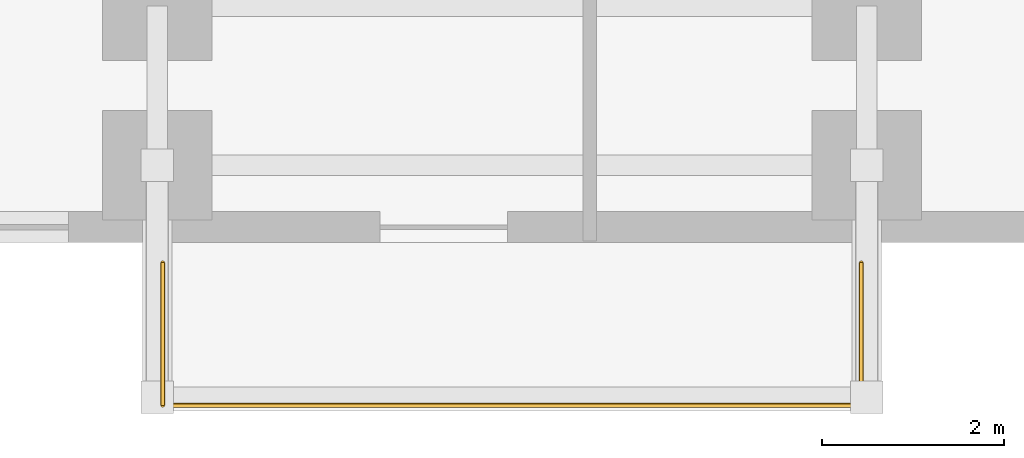
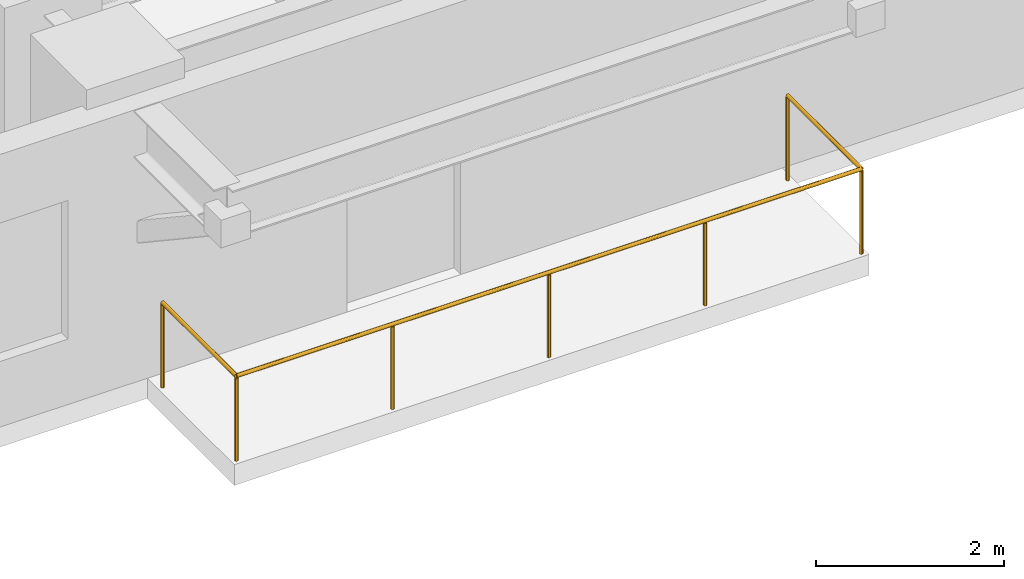
# One storey, part 11 of 12: 2 railings.
"""IFC4 building model written with IfcOpenShell, lengths in metres."""

from ifc_helpers import new_model, si_unit, direction, frame, origin, origin_2d, place, context, subcontext, project, spatial, circle, extrude, material, type_object, element, save


model = new_model("IFC4")

# Units and contexts
model_context = context("Model", 3, precision=1e-05, world=origin(), true_north=direction((0.0, 1.0)))
body_context = subcontext(model_context, "Body", "Model", "MODEL_VIEW")
ifc_project = project(units=[si_unit("LENGTHUNIT", "METRE"), si_unit("AREAUNIT", "SQUARE_METRE"), si_unit("VOLUMEUNIT", "CUBIC_METRE"), si_unit("PLANEANGLEUNIT", "RADIAN"), si_unit("MASSUNIT", "GRAM", prefix="KILO")], contexts=[model_context])

# Site, building, storey
site_placement = place(None, origin())
site = spatial("IfcSite", under=ifc_project, at=site_placement, CompositionType="ELEMENT")
building_placement = place(site_placement, origin())
building = spatial("IfcBuilding", under=site, at=building_placement, Name="Kestravale Grand Hotel", CompositionType="ELEMENT")
storey_placement = place(building_placement, frame((0.0, 0.0, 99.39990234375)))
storey = spatial("IfcBuildingStorey", under=building, at=storey_placement, Name="L24", CompositionType="ELEMENT", Elevation=99.39990234375)

# Railings
ifc_material = material(Name="Champagne-bronze stainless steel and laminated glass guard", Category="steel")
railing_type = type_object("IfcRailingType", Name="RL-EXT-1100", PredefinedType="GUARDRAIL", material=ifc_material)
railing_1_placement = place(storey_placement, frame((23.4599609375, 2.81005859375, 0.0)))
element("IfcRailing", 1, at=railing_1_placement, inside=storey, type_object=railing_type, Name="L24 outdoor terrace guard 1", PredefinedType="GUARDRAIL", context=body_context, shape_type="SweptSolid", body=[
    extrude(circle(Radius=0.02392578125, at=origin_2d()), frame((0.0, 0.0, 1.09619140625), z_axis=(0.0, 1.0, 0.0), x_axis=(-1.0, 0.0, 0.0)), (0.0, 0.0, 1.0), 1.56982421875),
    extrude(circle(Radius=0.02099609375, at=origin_2d()), origin(), (0.0, 0.0, 1.0), 1.072021484375),
    extrude(circle(Radius=0.02099609375, at=origin_2d()), frame((0.0, 1.56982421875, 0.0)), (0.0, 0.0, 1.0), 1.072021484375),
])
railing_2_placement = place(storey_placement, frame((31.139892578125, 4.3798828125, 0.0)))
element("IfcRailing", 2, at=railing_2_placement, inside=storey, type_object=railing_type, Name="L24 outdoor terrace guard 2", PredefinedType="GUARDRAIL", context=body_context, shape_type="SweptSolid", body=[
    extrude(circle(Radius=0.02392578125, at=origin_2d()), frame((0.0, 0.0, 1.09619140625), z_axis=(0.0, -1.0, 0.0), x_axis=(1.0, 0.0, 0.0)), (0.0, 0.0, 1.0), 1.56982421875),
    extrude(circle(Radius=0.02392578125, at=origin_2d()), frame((0.0, -1.56982421875, 1.09619140625), z_axis=(-1.0, 0.0, 0.0), x_axis=(0.0, -1.0, 0.0)), (0.0, 0.0, 1.0), 7.679931640625),
    extrude(circle(Radius=0.02099609375, at=origin_2d()), origin(), (0.0, 0.0, 1.0), 1.072021484375),
    extrude(circle(Radius=0.02099609375, at=origin_2d()), frame((0.0, -1.56982421875, 0.0)), (0.0, 0.0, 1.0), 1.072021484375),
    extrude(circle(Radius=0.02099609375, at=origin_2d()), frame((-1.919921875, -1.56982421875, 0.0)), (0.0, 0.0, 1.0), 1.072021484375),
    extrude(circle(Radius=0.02099609375, at=origin_2d()), frame((-3.83984375, -1.56982421875, 0.0)), (0.0, 0.0, 1.0), 1.072021484375),
    extrude(circle(Radius=0.02099609375, at=origin_2d()), frame((-5.760009765625, -1.56982421875, 0.0)), (0.0, 0.0, 1.0), 1.072021484375),
    extrude(circle(Radius=0.02099609375, at=origin_2d()), frame((-7.679931640625, -1.56982421875, 0.0)), (0.0, 0.0, 1.0), 1.072021484375),
])

save(model, "model.ifc")
